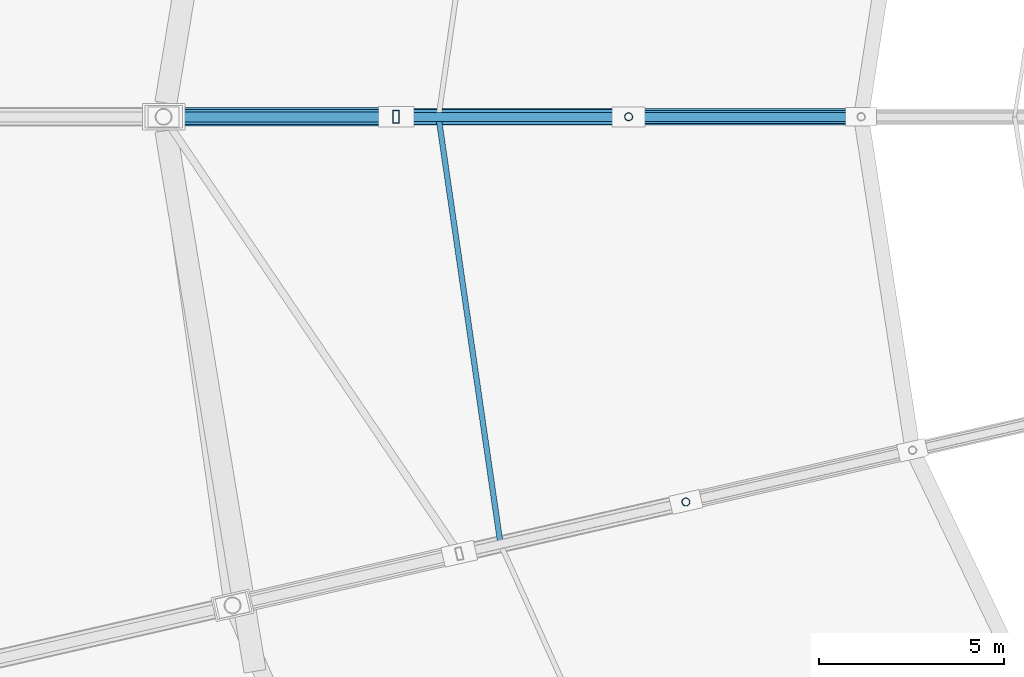
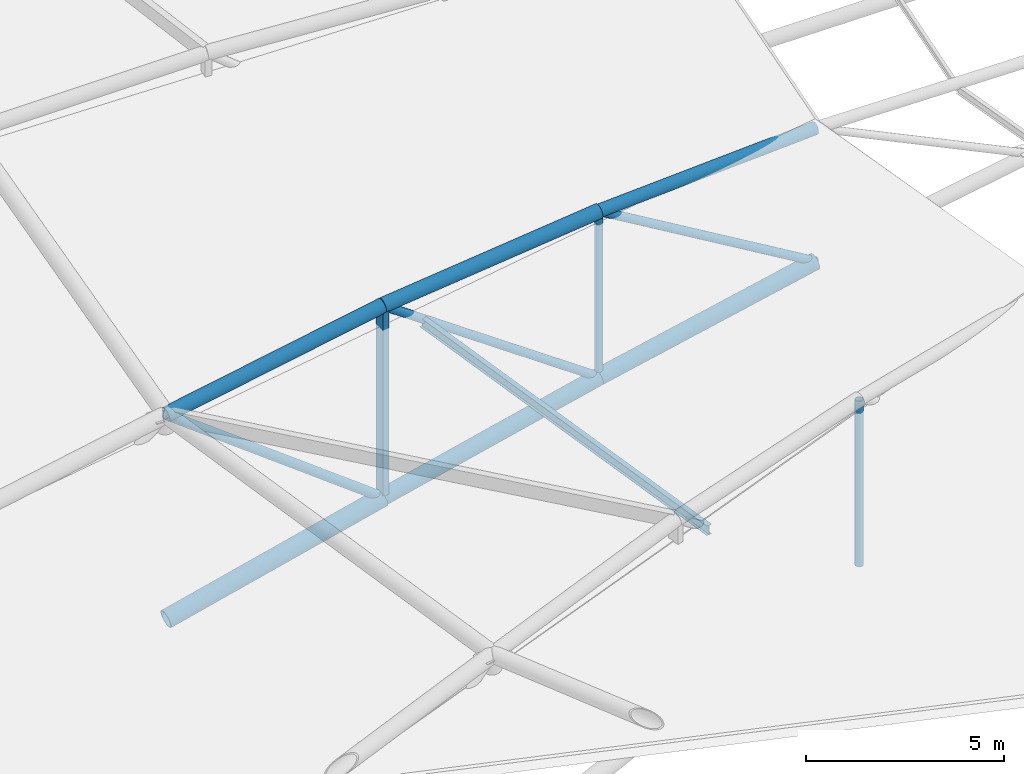
# One storey, part 30 of 108: 13 members.
"""IFC4 building model written with IfcOpenShell, lengths in metres."""

from ifc_helpers import new_model, si_unit, direction, frame, origin, origin_2d, place, context, subcontext, project, spatial, hollow_rectangle, hollow_circle, i_section, extrude, material, material_profile, profile_set, type_object, element, save


model = new_model("IFC4")

# Units and contexts
model_context = context("Model", 3, precision=1e-05, world=origin(), true_north=direction((0.0, 1.0)))
body_context = subcontext(model_context, "Body", "Model", "MODEL_VIEW")
ifc_project = project(units=[si_unit("LENGTHUNIT", "METRE"), si_unit("AREAUNIT", "SQUARE_METRE"), si_unit("VOLUMEUNIT", "CUBIC_METRE"), si_unit("PLANEANGLEUNIT", "RADIAN"), si_unit("MASSUNIT", "GRAM", prefix="KILO")], contexts=[model_context])

# Site, building, storey
site_placement = place(None, origin())
site = spatial("IfcSite", under=ifc_project, at=site_placement, CompositionType="ELEMENT")
building_placement = place(site_placement, origin())
building = spatial("IfcBuilding", under=site, at=building_placement, Name="Zevraka Park Crest Stadium", CompositionType="ELEMENT")
storey_placement = place(building_placement, frame((0.0, 0.0, 29.39990234375)))
storey = spatial("IfcBuildingStorey", under=building, at=storey_placement, Name="RF", CompositionType="ELEMENT", Elevation=29.39990234375)

# Members
ifc_material_1 = material(Name="Steel S355", Category="steel")
ifc_material_profile_1 = material_profile(ifc_material_1, i_section(OverallWidth=0.14990234375, OverallDepth=0.300048828125, WebThickness=0.007080078125, FlangeThickness=0.0107421875, at=origin_2d()), Name="IPE 300")
ifc_profile_set_1 = profile_set([ifc_material_profile_1], Name="Steel S355")
member_type_1 = type_object("IfcMemberType", Name="PR02", PredefinedType="PURLIN", material=ifc_profile_set_1)
member_1_placement = place(storey_placement, frame((44.948974609375, 92.0, 7.47314453125), z_axis=(0.143625982386, -0.989632041308, 0.0), x_axis=(0.989632041308, 0.143625982386, 0.0)))
element("IfcMember", 1, at=member_1_placement, inside=storey, type_object=member_type_1, Name="Canopy Roof Purlin PR02 OUTER-15-2", PredefinedType="PURLIN", context=body_context, shape_type="SweptSolid", body=[
    extrude(i_section(OverallWidth=0.14990234375, OverallDepth=0.300048828125, WebThickness=0.007080078125, FlangeThickness=0.0107421875, at=origin_2d()), origin(), (0.0, 0.0, 1.0), 11.703369140625),
])
ifc_material_2 = material(Name="Steel S355", Category="steel")
ifc_material_profile_2 = material_profile(ifc_material_2, hollow_circle(Radius=0.25390625, WallThickness=0.030029296875, at=origin_2d()), Name="CHS 508.0x30")
ifc_profile_set_2 = profile_set([ifc_material_profile_2], Name="Steel S355")
member_type_2 = type_object("IfcMemberType", Name="TC01", PredefinedType="CHORD", material=ifc_profile_set_2)
member_2_placement = place(storey_placement, frame((37.5, 92.0, 0.900146484375), z_axis=(0.971041073831, 0.0, 0.238912605222), x_axis=(0.0, 1.0, 0.0)))
element("IfcMember", 2, at=member_2_placement, inside=storey, type_object=member_type_2, Name="Roof Truss Bottom Chord TC01 T15-3", PredefinedType="CHORD", context=body_context, shape_type="SweptSolid", body=[
    extrude(hollow_circle(Radius=0.25390625, WallThickness=0.030029296875, at=origin_2d()), origin(), (0.0, 0.0, 1.0), 6.488037109375),
])
ifc_material_3 = material(Name="Steel S355", Category="steel")
ifc_material_profile_3 = material_profile(ifc_material_3, hollow_circle(Radius=0.228515625, WallThickness=0.02490234375, at=origin_2d()), Name="CHS 457.0x25")
ifc_profile_set_3 = profile_set([ifc_material_profile_3], Name="Steel S355")
member_type_3 = type_object("IfcMemberType", Name="TC02", PredefinedType="CHORD", material=ifc_profile_set_3)
member_3_placement = place(storey_placement, frame((43.800048828125, 92.0, 2.4501953125), z_axis=(0.972806619173, 0.0, 0.231618828452), x_axis=(0.0, 1.0, 0.0)))
element("IfcMember", 3, at=member_3_placement, inside=storey, type_object=member_type_3, Name="Roof Truss Bottom Chord TC02 T15-4", PredefinedType="CHORD", context=body_context, shape_type="SweptSolid", body=[
    extrude(hollow_circle(Radius=0.228515625, WallThickness=0.02490234375, at=origin_2d()), origin(), (0.0, 0.0, 1.0), 6.47607421875),
])
member_4_placement = place(storey_placement, frame((50.10009765625, 92.0, 3.9501953125), z_axis=(0.977805741195, 0.0, 0.209513561582), x_axis=(0.0, 1.0, 0.0)))
element("IfcMember", 4, at=member_4_placement, inside=storey, type_object=member_type_3, Name="Roof Truss Bottom Chord TC02 T15-5", PredefinedType="CHORD", context=body_context, shape_type="SweptSolid", body=[
    extrude(hollow_circle(Radius=0.228515625, WallThickness=0.02490234375, at=origin_2d()), origin(), (0.0, 0.0, 1.0), 6.44287109375),
])
ifc_material_4 = material(Name="Steel S355", Category="steel")
ifc_material_profile_4 = material_profile(ifc_material_4, hollow_circle(Radius=0.203125, WallThickness=0.02001953125, at=origin_2d()), Name="CHS 406.4x20")
ifc_profile_set_4 = profile_set([ifc_material_profile_4], Name="Steel S355")
member_type_4 = type_object("IfcMemberType", Name="TC03", PredefinedType="CHORD", material=ifc_profile_set_4)
member_5_placement = place(storey_placement, frame((37.5, 92.0, 7.2001953125), z_axis=(0.983747689745, 0.0, 0.179556350269), x_axis=(0.0, 1.0, 0.0)))
element("IfcMember", 5, at=member_5_placement, inside=storey, type_object=member_type_4, Name="Roof Truss Top Chord TC03 T15-3", PredefinedType="CHORD", context=body_context, shape_type="SweptSolid", body=[
    extrude(hollow_circle(Radius=0.203125, WallThickness=0.02001953125, at=origin_2d()), origin(), (0.0, 0.0, 1.0), 6.404052734375),
])
member_6_placement = place(storey_placement, frame((43.800048828125, 92.0, 8.35009765625), z_axis=(0.993884674033, 0.0, 0.110423071515), x_axis=(0.0, 1.0, 0.0)))
element("IfcMember", 6, at=member_6_placement, inside=storey, type_object=member_type_4, Name="Roof Truss Top Chord TC03 T15-4", PredefinedType="CHORD", context=body_context, shape_type="SweptSolid", body=[
    extrude(hollow_circle(Radius=0.203125, WallThickness=0.02001953125, at=origin_2d()), origin(), (0.0, 0.0, 1.0), 6.3388671875),
])
ifc_material_5 = material(Name="Steel S355", Category="steel")
ifc_material_profile_5 = material_profile(ifc_material_5, hollow_circle(Radius=0.177734375, WallThickness=0.01611328125, at=origin_2d()), Name="CHS 355.6x16")
ifc_profile_set_5 = profile_set([ifc_material_profile_5], Name="Steel S355")
member_type_5 = type_object("IfcMemberType", Name="TC05", PredefinedType="CHORD", material=ifc_profile_set_5)
member_7_placement = place(storey_placement, frame((50.10009765625, 92.0, 9.050048828125), z_axis=(0.998459400591, 0.0, 0.055487164023), x_axis=(0.0, 1.0, 0.0)))
element("IfcMember", 7, at=member_7_placement, inside=storey, type_object=member_type_5, Name="Roof Truss Top Chord TC05 T15-5", PredefinedType="CHORD", context=body_context, shape_type="SweptSolid", body=[
    extrude(hollow_circle(Radius=0.177734375, WallThickness=0.01611328125, at=origin_2d()), origin(), (0.0, 0.0, 1.0), 6.3095703125),
])
ifc_material_6 = material(Name="Steel S355", Category="steel")
ifc_material_profile_6 = material_profile(ifc_material_6, hollow_circle(Radius=0.136474609375, WallThickness=0.012451171875, at=origin_2d()), Name="CHS 273.0x12.5")
ifc_profile_set_6 = profile_set([ifc_material_profile_6], Name="Steel S355")
member_type_6 = type_object("IfcMemberType", Name="WB01", PredefinedType="BRACE", material=ifc_profile_set_6)
member_8_placement = place(storey_placement, frame((43.800048828125, 92.0, 2.4501953125), z_axis=(-0.798478765103, 0.0, 0.602022974379), x_axis=(0.0, -1.0, 0.0)))
element("IfcMember", 8, at=member_8_placement, inside=storey, type_object=member_type_6, Name="Roof Truss Web Diagonal WB01 T15-3", PredefinedType="BRACE", context=body_context, shape_type="SweptSolid", body=[
    extrude(hollow_circle(Radius=0.136474609375, WallThickness=0.012451171875, at=origin_2d()), origin(), (0.0, 0.0, 1.0), 7.89013671875),
])
ifc_material_7 = material(Name="Steel S355", Category="steel")
ifc_material_profile_7 = material_profile(ifc_material_7, hollow_circle(Radius=0.109619140625, WallThickness=0.010009765625, at=origin_2d()), Name="CHS 219.1x10")
ifc_profile_set_7 = profile_set([ifc_material_profile_7], Name="Steel S355")
member_type_7 = type_object("IfcMemberType", Name="WB02", PredefinedType="BRACE", material=ifc_profile_set_7)
for number, where, z_axis, x_axis, name in (
    (9, (50.10009765625, 92.0, 3.9501953125), (0.0, 0.0, 1.0), (1.0, 0.0, 0.0), "Roof Truss Web Post WB02 T15-4"),
    (10, (51.652099609375, 81.56396484375, 3.9501953125), (0.0, 0.0, 1.0), (0.974916814618, 0.222569549971, 0.0), "Roof Truss Web Post WB02 T16-4"),
):
    element("IfcMember", number, at=place(storey_placement, frame(where, z_axis=z_axis, x_axis=x_axis)), inside=storey, type_object=member_type_7, Name=name, PredefinedType="BRACE", context=body_context, shape_type="SweptSolid", body=[
        extrude(hollow_circle(Radius=0.109619140625, WallThickness=0.010009765625, at=origin_2d()), origin(), (0.0, 0.0, 1.0), 5.099853515625),
    ])
ifc_material_8 = material(Name="Steel S355", Category="steel")
ifc_material_profile_8 = material_profile(ifc_material_8, hollow_circle(Radius=0.122314453125, WallThickness=0.012451171875, at=origin_2d()), Name="CHS 244.5x12.5")
ifc_profile_set_8 = profile_set([ifc_material_profile_8], Name="Steel S355")
member_type_8 = type_object("IfcMemberType", Name="WB07", PredefinedType="BRACE", material=ifc_profile_set_8)
member_9_placement = place(storey_placement, frame((50.10009765625, 92.0, 3.9501953125), z_axis=(-0.819850870655, 0.0, 0.572577112612), x_axis=(0.0, -1.0, 0.0)))
element("IfcMember", 11, at=member_9_placement, inside=storey, type_object=member_type_8, Name="Roof Truss Web Diagonal WB07 T15-4", PredefinedType="BRACE", context=body_context, shape_type="SweptSolid", body=[
    extrude(hollow_circle(Radius=0.122314453125, WallThickness=0.012451171875, at=origin_2d()), origin(), (0.0, 0.0, 1.0), 7.684326171875),
])
member_10_placement = place(storey_placement, frame((56.39990234375, 92.0, 5.300048828125), z_axis=(-0.859285914784, 0.0, 0.511495568558), x_axis=(0.0, -1.0, 0.0)))
element("IfcMember", 12, at=member_10_placement, inside=storey, type_object=member_type_8, Name="Roof Truss Web Diagonal WB07 T15-5", PredefinedType="BRACE", context=body_context, shape_type="SweptSolid", body=[
    extrude(hollow_circle(Radius=0.122314453125, WallThickness=0.012451171875, at=origin_2d()), origin(), (0.0, 0.0, 1.0), 7.33154296875),
])
ifc_material_9 = material(Name="Steel S355", Category="steel")
ifc_material_profile_9 = material_profile(ifc_material_9, hollow_rectangle(XDim=0.175048828125, YDim=0.35009765625, WallThickness=0.012451171875, at=origin_2d()), Name="RHS 350x175x12.5")
ifc_profile_set_9 = profile_set([ifc_material_profile_9], Name="Steel S355")
member_type_9 = type_object("IfcMemberType", Name="WB09", PredefinedType="BRACE", material=ifc_profile_set_9)
member_11_placement = place(storey_placement, frame((43.800048828125, 92.0, 2.4501953125), z_axis=(0.0, 0.0, 1.0), x_axis=(1.0, 0.0, 0.0)))
element("IfcMember", 13, at=member_11_placement, inside=storey, type_object=member_type_9, Name="Roof Truss Web Post WB09 T15-3", PredefinedType="BRACE", context=body_context, shape_type="SweptSolid", body=[
    extrude(hollow_rectangle(XDim=0.175048828125, YDim=0.35009765625, WallThickness=0.012451171875, at=origin_2d()), origin(), (0.0, 0.0, 1.0), 5.89990234375),
])

save(model, "model.ifc")
